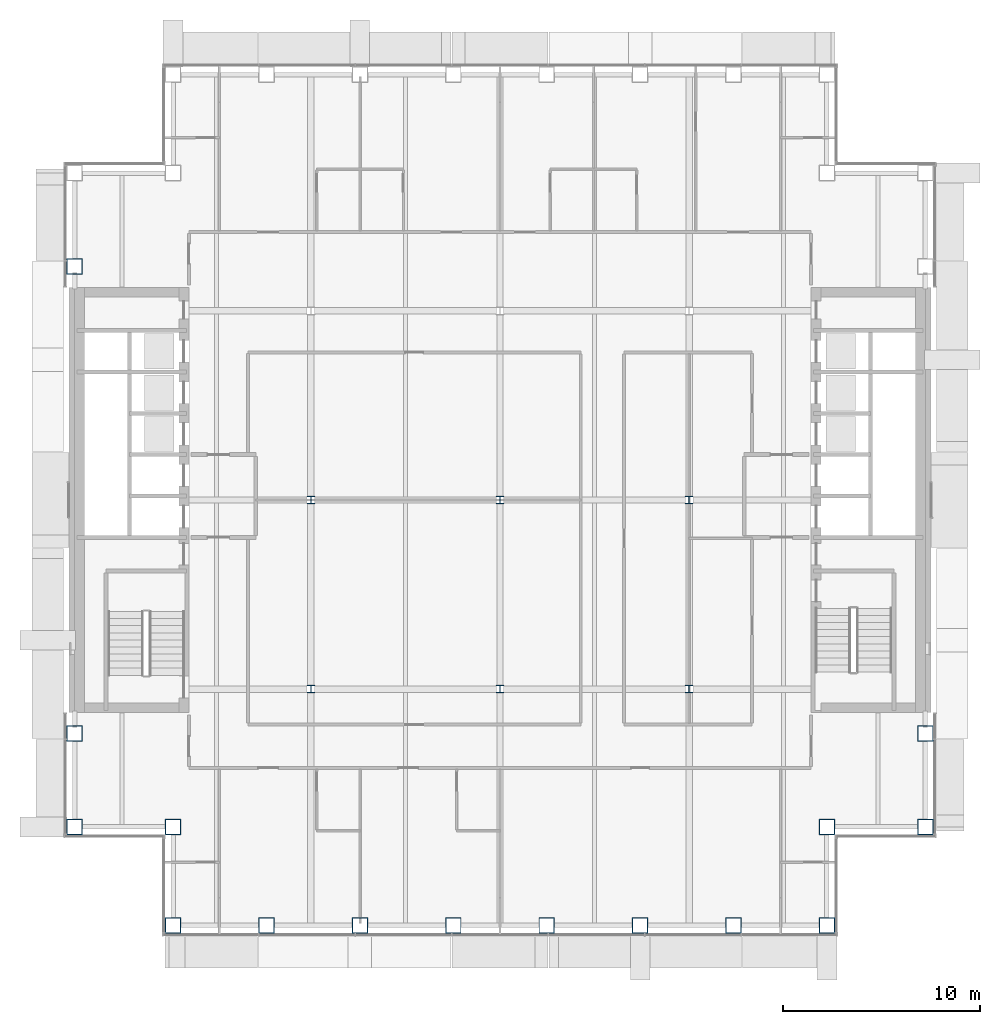
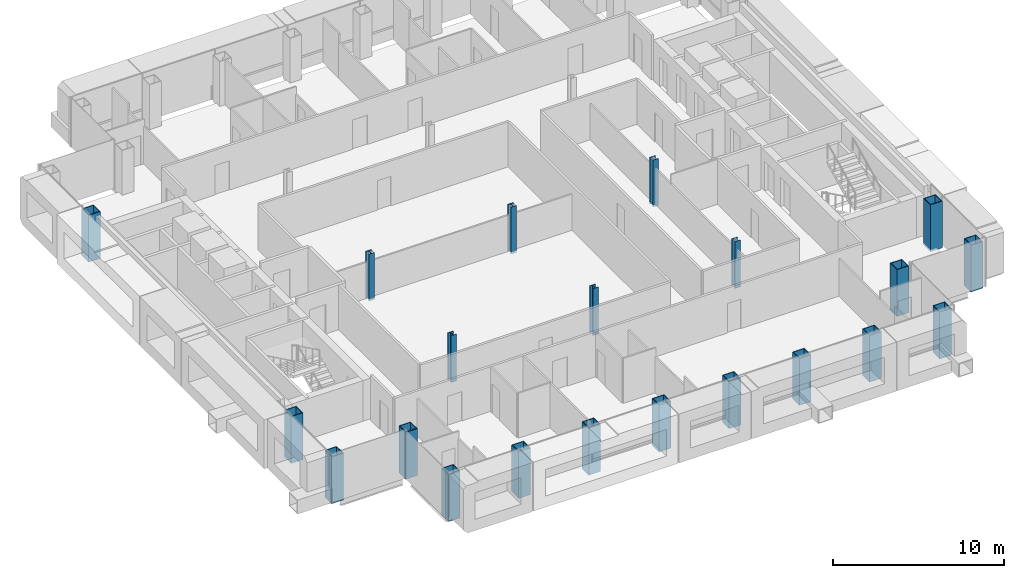
# One storey, part 1 of 21: 21 columns.
"""IFC4 building model written with IfcOpenShell, lengths in metres."""

from ifc_helpers import new_model, si_unit, direction, frame, origin, origin_2d, place, context, subcontext, project, spatial, hollow_rectangle, i_section, extrude, material, material_profile, profile_set, type_object, element, save


model = new_model("IFC4")

# Units and contexts
model_context = context("Model", 3, precision=1e-05, world=origin(), true_north=direction((0.0, 1.0)))
body_context = subcontext(model_context, "Body", "Model", "MODEL_VIEW")
ifc_project = project(units=[si_unit("LENGTHUNIT", "METRE"), si_unit("AREAUNIT", "SQUARE_METRE"), si_unit("VOLUMEUNIT", "CUBIC_METRE"), si_unit("PLANEANGLEUNIT", "RADIAN"), si_unit("MASSUNIT", "GRAM", prefix="KILO")], contexts=[model_context])

# Site, building, storey
site_placement = place(None, origin())
site = spatial("IfcSite", under=ifc_project, at=site_placement, CompositionType="ELEMENT")
building_placement = place(site_placement, origin())
building = spatial("IfcBuilding", under=site, at=building_placement, Name="Cobrizo Arcos Hotel Tower", CompositionType="ELEMENT")
storey_placement = place(building_placement, frame((0.0, 0.0, 183.0)))
storey = spatial("IfcBuildingStorey", under=building, at=storey_placement, Name="L47", CompositionType="ELEMENT", Elevation=183.0)

# Columns
ifc_material_1 = material(Name="Steel ASTM A572 Grade 50", Category="steel")
ifc_material_profile_1 = material_profile(ifc_material_1, hollow_rectangle(XDim=0.800048828125, YDim=0.800048828125, WallThickness=0.044921875, at=origin_2d()), Name="BOX 800X800X45")
ifc_profile_set_1 = profile_set([ifc_material_profile_1], Name="Steel ASTM A572 Grade 50")
column_type_1 = type_object("IfcColumnType", Name="BOX 800X800X45 column", PredefinedType="COLUMN", material=ifc_profile_set_1)
for number, where, z_axis, x_axis, name in (
    (1, (-16.60009765625, -21.60009765625, -0.14990234375), (0.0, 0.0, 1.0), (1.0, 0.0, 0.0), "Perimeter column C8, L47, no. 01"),
    (2, (-11.85693359375, -21.60009765625, -0.14990234375), (0.0, 0.0, 1.0), (1.0, 0.0, 0.0), "Perimeter column C8, L47, no. 03"),
    (3, (-7.114013671875, -21.60009765625, -0.14990234375), (0.0, 0.0, 1.0), (1.0, 0.0, 0.0), "Perimeter column C8, L47, no. 05"),
    (4, (-2.37109375, -21.60009765625, -0.14990234375), (0.0, 0.0, 1.0), (1.0, 0.0, 0.0), "Perimeter column C8, L47, no. 07"),
    (5, (2.37109375, -21.60009765625, -0.14990234375), (0.0, 0.0, 1.0), (1.0, 0.0, 0.0), "Perimeter column C8, L47, no. 09"),
    (6, (7.114013671875, -21.60009765625, -0.14990234375), (0.0, 0.0, 1.0), (1.0, 0.0, 0.0), "Perimeter column C8, L47, no. 11"),
    (7, (11.85693359375, -21.60009765625, -0.14990234375), (0.0, 0.0, 1.0), (1.0, 0.0, 0.0), "Perimeter column C8, L47, no. 13"),
    (8, (16.60009765625, -21.60009765625, -0.14990234375), (0.0, 0.0, 1.0), (1.0, 0.0, 0.0), "Perimeter column C8, L47, no. 15"),
    (9, (21.60009765625, -16.60009765625, -0.14990234375), (0.0, 0.0, 1.0), (1.0, 0.0, 0.0), "Perimeter column C8, L47, no. 16"),
    (10, (-21.60009765625, -16.60009765625, -0.14990234375), (0.0, 0.0, 1.0), (1.0, 0.0, 0.0), "Perimeter column C8, L47, no. 17"),
    (11, (21.60009765625, -11.85693359375, -0.14990234375), (0.0, 0.0, 1.0), (1.0, 0.0, 0.0), "Perimeter column C8, L47, no. 18"),
    (12, (-21.60009765625, -11.85693359375, -0.14990234375), (0.0, 0.0, 1.0), (1.0, 0.0, 0.0), "Perimeter column C8, L47, no. 19"),
    (13, (-21.60009765625, 11.85693359375, -0.14990234375), (0.0, 0.0, 1.0), (1.0, 0.0, 0.0), "Perimeter column C8, L47, no. 21"),
    (14, (-16.60009765625, -16.60009765625, -0.14990234375), (0.0, 0.0, 1.0), (1.0, 0.0, 0.0), "Perimeter column C8, L47, no. 24"),
    (15, (16.60009765625, -16.60009765625, -0.14990234375), (0.0, 0.0, 1.0), (1.0, 0.0, 0.0), "Perimeter column C8, L47, no. 26"),
):
    element("IfcColumn", number, at=place(storey_placement, frame(where, z_axis=z_axis, x_axis=x_axis)), inside=storey, type_object=column_type_1, Name=name, PredefinedType="COLUMN", context=body_context, shape_type="SweptSolid", body=[
        extrude(hollow_rectangle(XDim=0.800048828125, YDim=0.800048828125, WallThickness=0.044921875, at=origin_2d()), origin(), (0.0, 0.0, 1.0), 3.349853515625),
    ])
ifc_material_2 = material(Name="Steel ASTM A992 Grade 50", Category="steel")
ifc_material_profile_2 = material_profile(ifc_material_2, i_section(OverallWidth=0.373291015625, OverallDepth=0.373291015625, WebThickness=0.016357421875, FlangeThickness=0.026123046875, at=origin_2d()), Name="W14X132")
ifc_profile_set_2 = profile_set([ifc_material_profile_2], Name="Steel ASTM A992 Grade 50")
column_type_2 = type_object("IfcColumnType", Name="W14X132 interior column", PredefinedType="COLUMN", material=ifc_profile_set_2)
for number, where, z_axis, x_axis, name in (
    (16, (-9.60009765625, -9.60009765625, -0.14990234375), (0.0, 0.0, 1.0), (1.0, 0.0, 0.0), "Interior column C9, L47, no. 00"),
    (17, (-9.60009765625, 0.0, -0.14990234375), (0.0, 0.0, 1.0), (1.0, 0.0, 0.0), "Interior column C9, L47, no. 01"),
    (18, (0.0, -9.60009765625, -0.14990234375), (0.0, 0.0, 1.0), (1.0, 0.0, 0.0), "Interior column C9, L47, no. 03"),
    (19, (0.0, 0.0, -0.14990234375), (0.0, 0.0, 1.0), (1.0, 0.0, 0.0), "Interior column C9, L47, no. 04"),
    (20, (9.60009765625, -9.60009765625, -0.14990234375), (0.0, 0.0, 1.0), (1.0, 0.0, 0.0), "Interior column C9, L47, no. 06"),
    (21, (9.60009765625, 0.0, -0.14990234375), (0.0, 0.0, 1.0), (1.0, 0.0, 0.0), "Interior column C9, L47, no. 07"),
):
    element("IfcColumn", number, at=place(storey_placement, frame(where, z_axis=z_axis, x_axis=x_axis)), inside=storey, type_object=column_type_2, Name=name, PredefinedType="COLUMN", context=body_context, shape_type="SweptSolid", body=[
        extrude(i_section(OverallWidth=0.373291015625, OverallDepth=0.373291015625, WebThickness=0.016357421875, FlangeThickness=0.026123046875, at=origin_2d()), origin(), (0.0, 0.0, 1.0), 3.349853515625),
    ])

save(model, "model.ifc")
